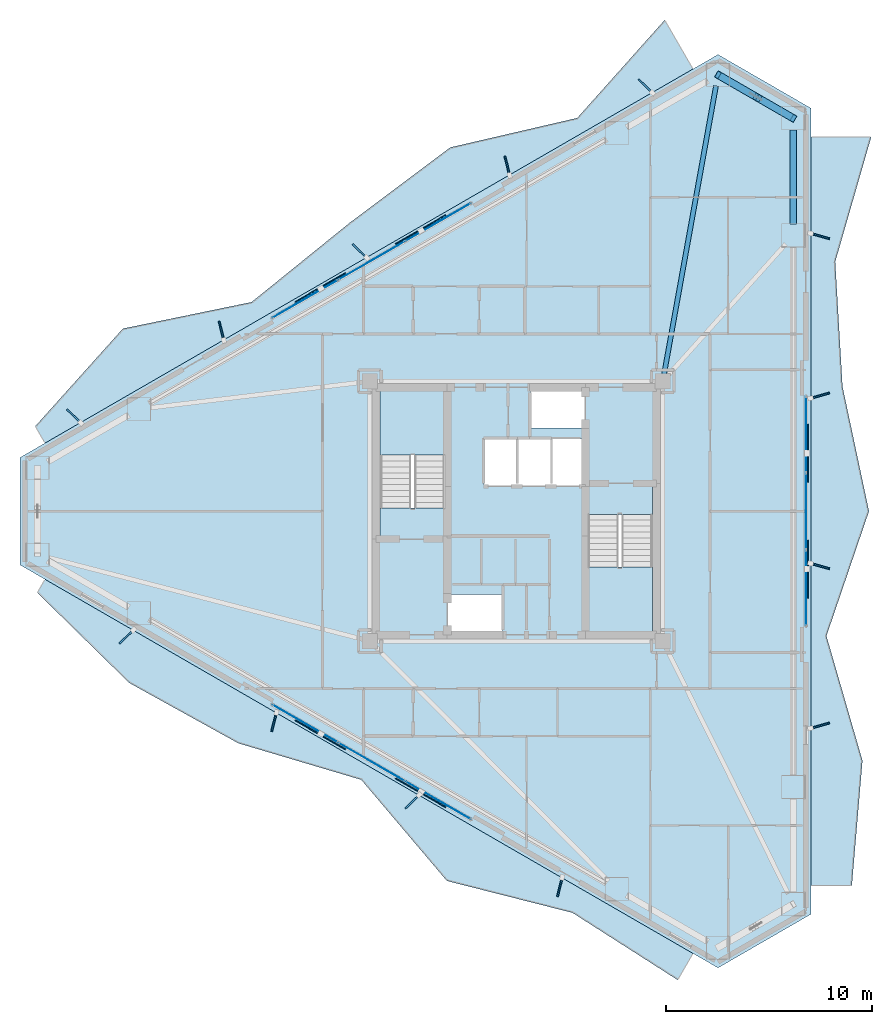
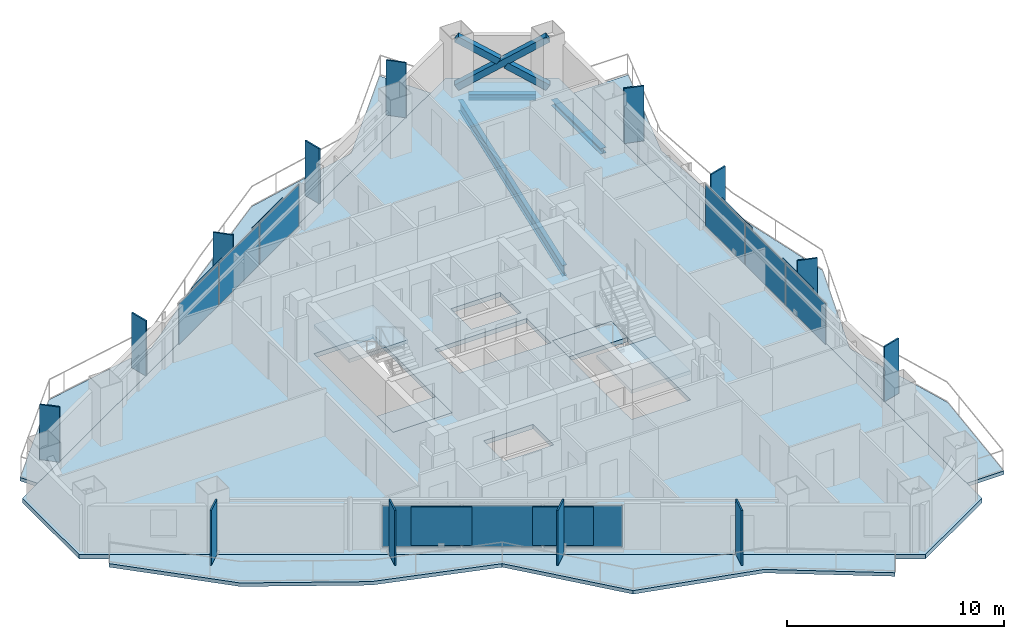
# One storey, part 14 of 22: 28 plates, 8 slabs, 3 beams, 3 members, 5 elements without a shape of their own.
"""IFC4 building model written with IfcOpenShell, lengths in metres."""

from ifc_helpers import new_model, si_unit, direction, frame, origin, origin_2d, place, context, subcontext, project, spatial, polyline, rectangle, hollow_rectangle, i_section, outline, extrude, material, layer, layer_set, material_profile, profile_set, type_object, element, aggregate, save


model = new_model("IFC4")

# Units and contexts
model_context = context("Model", 3, precision=1e-05, world=origin(), true_north=direction((0.0, 1.0)))
body_context = subcontext(model_context, "Body", "Model", "MODEL_VIEW")
ifc_project = project(units=[si_unit("LENGTHUNIT", "METRE"), si_unit("AREAUNIT", "SQUARE_METRE"), si_unit("VOLUMEUNIT", "CUBIC_METRE"), si_unit("PLANEANGLEUNIT", "RADIAN"), si_unit("MASSUNIT", "GRAM", prefix="KILO")], contexts=[model_context])

# Site, building, storey
site_placement = place(None, origin())
site = spatial("IfcSite", under=ifc_project, at=site_placement, CompositionType="ELEMENT")
building_placement = place(site_placement, origin())
building = spatial("IfcBuilding", under=site, at=building_placement, Name="Mersakhor Tower and Convention Hall", CompositionType="ELEMENT")
storey_placement = place(building_placement, frame((0.0, 0.0, 113.10009765625)))
storey = spatial("IfcBuildingStorey", under=building, at=storey_placement, Name="L31", CompositionType="ELEMENT", Elevation=113.10009765625)

# Beams
ifc_material_1 = material(Name="Steel S355", Category="steel")
ifc_material_profile_1 = material_profile(ifc_material_1, i_section(OverallWidth=0.22900390625, OverallDepth=0.6123046875, WebThickness=0.011962890625, FlangeThickness=0.01953125, at=origin_2d()), Name="UB 610x229x125")
ifc_profile_set_1 = profile_set([ifc_material_profile_1], Name="Steel S355")
beam_type_1 = type_object("IfcBeamType", Name="BM-PR-610", PredefinedType="BEAM", material=ifc_profile_set_1)
beam_1_placement = place(storey_placement, frame((36.1630859375, 33.3994140625, -0.55615234375), z_axis=(0.177407335198, 0.984137509405, 0.0), x_axis=(-0.984137509405, 0.177407335198, 0.0)))
element("IfcBeam", 1, at=beam_1_placement, inside=storey, type_object=beam_type_1, Name="L31 Primary Floor Girder FG-2", PredefinedType="BEAM", context=body_context, shape_type="SweptSolid", body=[
    extrude(i_section(OverallWidth=0.22900390625, OverallDepth=0.6123046875, WebThickness=0.011962890625, FlangeThickness=0.01953125, at=origin_2d()), origin(), (0.0, 0.0, 1.0), 14.188232421875),
])
ifc_material_2 = material(Name="Steel S355", Category="steel")
ifc_material_profile_2 = material_profile(ifc_material_2, i_section(OverallWidth=0.30908203125, OverallDepth=0.320556640625, WebThickness=0.013916015625, FlangeThickness=0.021728515625, at=origin_2d()), Name="UC 305x305x137")
ifc_profile_set_2 = profile_set([ifc_material_profile_2], Name="Steel S355")
beam_type_2 = type_object("IfcBeamType", Name="BM-SPD-UC305", PredefinedType="SPANDREL", material=ifc_profile_set_2)
beam_2_placement = place(storey_placement, frame((39.25927734375, 47.631103515625, -0.410400390625), z_axis=(0.866052319632, -0.499953377486, 0.0), x_axis=(0.499953377486, 0.866052319632, 0.0)))
element("IfcBeam", 2, at=beam_2_placement, inside=storey, type_object=beam_type_2, Name="L31 Perimeter Spandrel Beam SPB-04", PredefinedType="SPANDREL", context=body_context, shape_type="SweptSolid", body=[
    extrude(i_section(OverallWidth=0.30908203125, OverallDepth=0.320556640625, WebThickness=0.013916015625, FlangeThickness=0.021728515625, at=origin_2d()), origin(), (0.0, 0.0, 1.0), 3.111572265625),
])
beam_3_placement = place(storey_placement, frame((42.4345703125, 45.242919921875, -0.410400390625), z_axis=(0.0, -1.0, 0.0), x_axis=(1.0, 0.0, 0.0)))
element("IfcBeam", 3, at=beam_3_placement, inside=storey, type_object=beam_type_2, Name="L31 Perimeter Spandrel Beam SPB-05", PredefinedType="SPANDREL", context=body_context, shape_type="SweptSolid", body=[
    extrude(i_section(OverallWidth=0.30908203125, OverallDepth=0.320556640625, WebThickness=0.013916015625, FlangeThickness=0.021728515625, at=origin_2d()), origin(), (0.0, 0.0, 1.0), 4.566162109375),
])

# Members
ifc_material_3 = material(Name="Steel S460", Category="steel")
ifc_material_profile_3 = material_profile(ifc_material_3, hollow_rectangle(XDim=0.35009765625, YDim=0.35009765625, WallThickness=0.02001953125, at=origin_2d()), Name="SHS 350x350x20")
ifc_profile_set_3 = profile_set([ifc_material_profile_3], Name="Steel S460")
member_type = type_object("IfcMemberType", Name="MB-BRC-SHS350", PredefinedType="BRACE", material=ifc_profile_set_3)
member_1_placement = place(storey_placement, frame((38.77880859375, 47.90869140625, 0.14990234375), z_axis=(0.727993176614, -0.420295245881, 0.5416436477), x_axis=(0.49998946241, 0.866031487579, 0.0)))
element("IfcMember", 4, at=member_1_placement, inside=storey, type_object=member_type, Name="L31 Chamfer Braced Frame Diagonal CB-1A", PredefinedType="BRACE", context=body_context, shape_type="SweptSolid", body=[
    extrude(hollow_rectangle(XDim=0.35009765625, YDim=0.35009765625, WallThickness=0.02001953125, at=origin_2d()), origin(), (0.0, 0.0, 1.0), 5.021728515625),
])
member_2_placement = place(storey_placement, frame((42.4345703125, 45.798095703125, 0.14990234375), z_axis=(-0.727959329787, 0.420293499839, 0.54169049112), x_axis=(-0.500005339912, -0.866022320763, 0.0)))
element("IfcMember", 5, at=member_2_placement, inside=storey, type_object=member_type, Name="L31 Chamfer Braced Frame Diagonal CB-1B Lower Half", PredefinedType="BRACE", context=body_context, shape_type="SweptSolid", body=[
    extrude(hollow_rectangle(XDim=0.35009765625, YDim=0.35009765625, WallThickness=0.02001953125, at=origin_2d()), origin(), (0.0, 0.0, 1.0), 2.310791015625),
])
member_3_placement = place(storey_placement, frame((40.4609375, 46.9375, 1.618408203125), z_axis=(-0.728000991886, 0.420317553806, 0.54161583228), x_axis=(-0.500005339912, -0.866022320763, 0.0)))
element("IfcMember", 6, at=member_3_placement, inside=storey, type_object=member_type, Name="L31 Chamfer Braced Frame Diagonal CB-1B Upper Half", PredefinedType="BRACE", context=body_context, shape_type="SweptSolid", body=[
    extrude(hollow_rectangle(XDim=0.35009765625, YDim=0.35009765625, WallThickness=0.02001953125, at=origin_2d()), origin(), (0.0, 0.0, 1.0), 2.310546875),
])

# Curtain wall, plates
ifc_material_4 = material(Name="Dark solar low-E aluminium curtain wall", Category="aluminium")
ifc_layer_1 = layer(ifc_material_4, 0.159912109375)
ifc_layer_set_1 = layer_set([ifc_layer_1], Name="Dark solar low-E aluminium curtain wall")
curtain_wall_type = type_object("IfcCurtainWallType", Name="CW-SYS-01", PredefinedType="USERDEFINED", material=ifc_layer_set_1)
curtain_wall_1_placement = place(storey_placement, origin())
curtain_wall_1 = element("IfcCurtainWall", 7, at=curtain_wall_1_placement, inside=storey, type_object=curtain_wall_type, Name="L31 Dark-Glass Curtain Wall F1-B2", ObjectType="CURTAIN WALL", PredefinedType="USERDEFINED")
ifc_material_5 = material(Name="Dark solar double glazing", Category="glass")
ifc_layer_2 = layer(ifc_material_5, 0.02392578125)
ifc_layer_set_2 = layer_set([ifc_layer_2], Name="Dark solar double glazing")
plate_type_1 = type_object("IfcPlateType", Name="CWP-GLZ-24", PredefinedType="CURTAIN_PANEL", material=ifc_layer_set_2)
plate_1_placement = place(storey_placement, frame((18.75732421875, 37.042236328125, 0.259765625), z_axis=(0.0, 0.0, 1.0), x_axis=(0.866026613339, 0.499997904985, 0.0)))
plate_1 = element("IfcPlate", 8, at=plate_1_placement, type_object=plate_type_1, Name="CW-01 panel 1.1", PredefinedType="CURTAIN_PANEL", context=body_context, shape_type="SweptSolid", body=[
    extrude(rectangle(XDim=3.630615234375, YDim=0.02392578125, at=origin_2d()), origin(), (0.0, 0.0, 1.0), 2.320068359375),
])
plate_2_placement = place(storey_placement, frame((21.982666015625, 38.904296875, 0.259765625), z_axis=(0.0, 0.0, 1.0), x_axis=(0.866026613339, 0.499997904985, 0.0)))
plate_2 = element("IfcPlate", 9, at=plate_2_placement, type_object=plate_type_1, Name="CW-01 panel 2.1", PredefinedType="CURTAIN_PANEL", context=body_context, shape_type="SweptSolid", body=[
    extrude(rectangle(XDim=3.668212890625, YDim=0.02392578125, at=origin_2d()), origin(), (0.0, 0.0, 1.0), 2.320068359375),
])
plate_3_placement = place(storey_placement, frame((25.2080078125, 40.7666015625, 0.259765625), z_axis=(0.0, 0.0, 1.0), x_axis=(0.866026613339, 0.499997904985, 0.0)))
plate_3 = element("IfcPlate", 10, at=plate_3_placement, type_object=plate_type_1, Name="CW-01 panel 3.1", PredefinedType="CURTAIN_PANEL", context=body_context, shape_type="SweptSolid", body=[
    extrude(rectangle(XDim=3.630615234375, YDim=0.02392578125, at=origin_2d()), origin(), (0.0, 0.0, 1.0), 2.320068359375),
])
aggregate(curtain_wall_1, [plate_1, plate_2, plate_3])

curtain_wall_2_placement = place(storey_placement, origin())
curtain_wall_2 = element("IfcCurtainWall", 11, at=curtain_wall_2_placement, inside=storey, type_object=curtain_wall_type, Name="L31 Dark-Glass Curtain Wall F2-B2", ObjectType="CURTAIN WALL", PredefinedType="USERDEFINED")
plate_4_placement = place(storey_placement, frame((43.03466796875, 30.474365234375, 0.259765625), z_axis=(0.0, 0.0, 1.0), x_axis=(0.0, -1.0, 0.0)))
plate_4 = element("IfcPlate", 12, at=plate_4_placement, type_object=plate_type_1, Name="CW-01 panel 1.1", PredefinedType="CURTAIN_PANEL", context=body_context, shape_type="SweptSolid", body=[
    extrude(rectangle(XDim=3.630615234375, YDim=0.02392578125, at=origin_2d()), origin(), (0.0, 0.0, 1.0), 2.320068359375),
])
plate_5_placement = place(storey_placement, frame((43.03466796875, 26.75, 0.259765625), z_axis=(0.0, 0.0, 1.0), x_axis=(0.0, -1.0, 0.0)))
plate_5 = element("IfcPlate", 13, at=plate_5_placement, type_object=plate_type_1, Name="CW-01 panel 2.1", PredefinedType="CURTAIN_PANEL", context=body_context, shape_type="SweptSolid", body=[
    extrude(rectangle(XDim=3.668212890625, YDim=0.02392578125, at=origin_2d()), origin(), (0.0, 0.0, 1.0), 2.320068359375),
])
plate_6_placement = place(storey_placement, frame((43.03466796875, 23.025634765625, 0.259765625), z_axis=(0.0, 0.0, 1.0), x_axis=(0.0, -1.0, 0.0)))
plate_6 = element("IfcPlate", 14, at=plate_6_placement, type_object=plate_type_1, Name="CW-01 panel 3.1", PredefinedType="CURTAIN_PANEL", context=body_context, shape_type="SweptSolid", body=[
    extrude(rectangle(XDim=3.630615234375, YDim=0.02392578125, at=origin_2d()), origin(), (0.0, 0.0, 1.0), 2.320068359375),
])
aggregate(curtain_wall_2, [plate_4, plate_5, plate_6])

curtain_wall_3_placement = place(storey_placement, origin())
curtain_wall_3 = element("IfcCurtainWall", 15, at=curtain_wall_3_placement, inside=storey, type_object=curtain_wall_type, Name="L31 Dark-Glass Curtain Wall F3-B2", ObjectType="CURTAIN WALL", PredefinedType="USERDEFINED")
plate_7_placement = place(storey_placement, frame((25.2080078125, 12.7333984375, 0.259765625), z_axis=(0.0, 0.0, 1.0), x_axis=(-0.866026613339, 0.499997904985, 0.0)))
plate_7 = element("IfcPlate", 16, at=plate_7_placement, type_object=plate_type_1, Name="CW-01 panel 1.1", PredefinedType="CURTAIN_PANEL", context=body_context, shape_type="SweptSolid", body=[
    extrude(rectangle(XDim=3.630615234375, YDim=0.02392578125, at=origin_2d()), origin(), (0.0, 0.0, 1.0), 2.320068359375),
])
plate_8_placement = place(storey_placement, frame((21.982666015625, 14.595703125, 0.259765625), z_axis=(0.0, 0.0, 1.0), x_axis=(-0.866026613339, 0.499997904985, 0.0)))
plate_8 = element("IfcPlate", 17, at=plate_8_placement, type_object=plate_type_1, Name="CW-01 panel 2.1", PredefinedType="CURTAIN_PANEL", context=body_context, shape_type="SweptSolid", body=[
    extrude(rectangle(XDim=3.668212890625, YDim=0.02392578125, at=origin_2d()), origin(), (0.0, 0.0, 1.0), 2.320068359375),
])
plate_9_placement = place(storey_placement, frame((18.75732421875, 16.457763671875, 0.259765625), z_axis=(0.0, 0.0, 1.0), x_axis=(-0.866026613339, 0.499997904985, 0.0)))
plate_9 = element("IfcPlate", 18, at=plate_9_placement, type_object=plate_type_1, Name="CW-01 panel 3.1", PredefinedType="CURTAIN_PANEL", context=body_context, shape_type="SweptSolid", body=[
    extrude(rectangle(XDim=3.630615234375, YDim=0.02392578125, at=origin_2d()), origin(), (0.0, 0.0, 1.0), 2.320068359375),
])
aggregate(curtain_wall_3, [plate_7, plate_8, plate_9])

# Plates
ifc_material_6 = material(Name="Ceramic-clad aluminium Zone 2 emerald-teal", Category="aluminium")
ifc_material_7 = material(Name="Ceramic-clad aluminium Zone 1 cobalt-slate", Category="masonry")
ifc_layer_3 = layer(ifc_material_7, 0.080078125)
ifc_layer_set_3 = layer_set([ifc_layer_3], Name="Ceramic-clad aluminium Zone 1 cobalt-slate")
plate_type_2 = type_object("IfcPlateType", Name="PL-FIN-80", PredefinedType="USERDEFINED", material=ifc_layer_set_3)
for number, where, z_axis, x_axis, name in (
    (19, (7.549560546875, 31.364013671875, -0.000244140625), (0.0, 0.0, 1.0), (-0.719339800339, 0.694658370459, 0.0), "L31 Zone 2 Coloured Brise-Soleil Fin F1-1"),
    (20, (14.70458984375, 35.4951171875, -0.000244140625), (0.0, 0.0, 1.0), (-0.2419218956, 0.970295726276, 0.0), "L31 Zone 2 Coloured Brise-Soleil Fin F1-2"),
    (21, (21.406005859375, 39.364013671875, -0.000244140625), (0.0, 0.0, 1.0), (-0.719339800339, 0.694658370459, 0.0), "L31 Zone 2 Coloured Brise-Soleil Fin F1-3"),
    (22, (28.560791015625, 43.4951171875, -0.000244140625), (0.0, 0.0, 1.0), (-0.2419218956, 0.970295726276, 0.0), "L31 Zone 2 Coloured Brise-Soleil Fin F1-4"),
    (23, (35.26220703125, 47.3642578125, -0.000244140625), (0.0, 0.0, 1.0), (-0.719339800339, 0.694658370459, 0.0), "L31 Zone 2 Coloured Brise-Soleil Fin F1-5"),
    (24, (43.72119140625, 40.091064453125, -0.000244140625), (0.0, 0.0, 1.0), (0.961261695938, -0.275637355817, 0.0), "L31 Zone 2 Coloured Brise-Soleil Fin F2-1"),
    (25, (43.72119140625, 32.35302734375, -0.000244140625), (0.0, 0.0, 1.0), (0.961261695938, 0.275637355817, 0.0), "L31 Zone 2 Coloured Brise-Soleil Fin F2-2"),
    (26, (43.72119140625, 24.091064453125, -0.000244140625), (0.0, 0.0, 1.0), (0.961261695938, -0.275637355817, 0.0), "L31 Zone 2 Coloured Brise-Soleil Fin F2-3"),
    (27, (43.72119140625, 16.35302734375, -0.000244140625), (0.0, 0.0, 1.0), (0.961261695938, 0.275637355817, 0.0), "L31 Zone 2 Coloured Brise-Soleil Fin F2-4"),
    (28, (31.110595703125, 8.532958984375, -0.000244140625), (0.0, 0.0, 1.0), (-0.2419218956, -0.970295726276, 0.0), "L31 Zone 2 Coloured Brise-Soleil Fin F3-1"),
    (29, (23.95556640625, 12.663818359375, -0.000244140625), (0.0, 0.0, 1.0), (-0.719339800339, -0.694658370459, 0.0), "L31 Zone 2 Coloured Brise-Soleil Fin F3-2"),
    (30, (17.254150390625, 16.532958984375, -0.000244140625), (0.0, 0.0, 1.0), (-0.2419218956, -0.970295726276, 0.0), "L31 Zone 2 Coloured Brise-Soleil Fin F3-3"),
    (31, (10.09912109375, 20.663818359375, -0.000244140625), (0.0, 0.0, 1.0), (-0.719339800339, -0.694658370459, 0.0), "L31 Zone 2 Coloured Brise-Soleil Fin F3-4"),
):
    element("IfcPlate", number, at=place(storey_placement, frame(where, z_axis=z_axis, x_axis=x_axis)), inside=storey, type_object=plate_type_2, material=ifc_material_6, Name=name, ObjectType="FIN", PredefinedType="USERDEFINED", context=body_context, shape_type="SweptSolid", body=[
        extrude(rectangle(XDim=0.949951171875, YDim=0.080078125, at=origin_2d()), origin(), (0.0, 0.0, 1.0), 3.10009765625),
    ])
ifc_material_8 = material(Name="Perforated ceramic cobogo solar screen", Category="aluminium")
ifc_layer_4 = layer(ifc_material_8, 0.055908203125)
ifc_layer_set_4 = layer_set([ifc_layer_4], Name="Perforated ceramic cobogo solar screen")
plate_type_3 = type_object("IfcPlateType", Name="PL-SCR-56", PredefinedType="USERDEFINED", material=ifc_layer_set_4)
for number, where, z_axis, x_axis, name in (
    (32, (19.50244140625, 37.58544921875, 0.39990234375), (0.0, 0.0, 1.0), (0.866025403784, 0.5, 0.0), "L31 Perforated Ceramic Solar Screen F1-1"),
    (33, (24.364990234375, 40.392822265625, 0.39990234375), (0.0, 0.0, 1.0), (0.866025403784, 0.5, 0.0), "L31 Perforated Ceramic Solar Screen F1-2"),
    (34, (43.132568359375, 29.557373046875, 0.39990234375), (0.0, 0.0, 1.0), (0.0, -1.0, 0.0), "L31 Perforated Ceramic Solar Screen F2-1"),
    (35, (43.132568359375, 23.942626953125, 0.39990234375), (0.0, 0.0, 1.0), (0.0, -1.0, 0.0), "L31 Perforated Ceramic Solar Screen F2-2"),
    (36, (24.364990234375, 13.107177734375, 0.39990234375), (0.0, 0.0, 1.0), (-0.866025403784, 0.5, 0.0), "L31 Perforated Ceramic Solar Screen F3-1"),
    (37, (19.50244140625, 15.91455078125, 0.39990234375), (0.0, 0.0, 1.0), (-0.866025403784, 0.5, 0.0), "L31 Perforated Ceramic Solar Screen F3-2"),
):
    element("IfcPlate", number, at=place(storey_placement, frame(where, z_axis=z_axis, x_axis=x_axis)), inside=storey, type_object=plate_type_3, Name=name, ObjectType="SCREEN", PredefinedType="USERDEFINED", context=body_context, shape_type="SweptSolid", body=[
        extrude(rectangle(XDim=2.800048828125, YDim=0.055908203125, at=origin_2d()), origin(), (0.0, 0.0, 1.0), 2.18994140625),
    ])

# Slabs
ifc_material_9 = material(Name="Concrete C45/55", Category="concrete")
ifc_layer_5 = layer(ifc_material_9, 0.199951171875)
ifc_layer_set_5 = layer_set([ifc_layer_5], Name="Concrete C45/55")
slab_type_1 = type_object("IfcSlabType", Name="SL-BAL-200", PredefinedType="FLOOR", material=ifc_layer_set_5)
slab_1_placement = place(storey_placement, frame((0.0, 0.0, -0.2001953125)))
element("IfcSlab", 38, at=slab_1_placement, inside=storey, type_object=slab_type_1, Name="L31 Sinusoidal Balcony Slab Face 1", PredefinedType="FLOOR", context=body_context, shape_type="SweptSolid", body=[
    extrude(outline(polyline([(6.149169921875, 30.051513671875), (37.56640625, 48.190185546875), (36.194580078125, 50.566162109375), (31.955078125, 45.816650390625), (25.798095703125, 44.38818359375), (20.9248046875, 40.73681640625), (16.16455078125, 36.88916015625), (9.92529296875, 35.603515625), (5.677001953125, 30.869384765625), (6.149169921875, 30.051513671875)])), origin(), (0.0, 0.0, 1.0), 0.2001953125),
])
slab_2_placement = place(storey_placement, frame((0.0, 0.0, -0.2001953125)))
element("IfcSlab", 39, at=slab_2_placement, inside=storey, type_object=slab_type_1, Name="L31 Sinusoidal Balcony Slab Face 2", PredefinedType="FLOOR", context=body_context, shape_type="SweptSolid", body=[
    extrude(outline(polyline([(43.28466796875, 44.888671875), (43.28466796875, 8.611328125), (45.268798828125, 8.611328125), (45.781982421875, 14.657470703125), (44.03466796875, 20.703857421875), (46.097900390625, 26.75), (44.814208984375, 32.796142578125), (44.460693359375, 38.842529296875), (46.20458984375, 44.888671875), (43.28466796875, 44.888671875)])), origin(), (0.0, 0.0, 1.0), 0.2001953125),
])
slab_3_placement = place(storey_placement, frame((0.0, 0.0, -0.2001953125)))
element("IfcSlab", 40, at=slab_3_placement, inside=storey, type_object=slab_type_1, Name="L31 Sinusoidal Balcony Slab Face 3", PredefinedType="FLOOR", context=body_context, shape_type="SweptSolid", body=[
    extrude(outline(polyline([(37.56640625, 5.309814453125), (6.149169921875, 23.448486328125), (5.774169921875, 22.799072265625), (10.231689453125, 18.427001953125), (15.52294921875, 15.49951171875), (21.482666015625, 13.7294921875), (25.6337890625, 8.8271484375), (31.722900390625, 7.281494140625), (36.822998046875, 4.022216796875), (37.56640625, 5.309814453125)])), origin(), (0.0, 0.0, 1.0), 0.2001953125),
])
ifc_material_10 = material(Name="Concrete C40/50", Category="concrete")
ifc_layer_6 = layer(ifc_material_10, 0.25)
ifc_layer_set_6 = layer_set([ifc_layer_6], Name="Concrete C40/50")
slab_type_2 = type_object("IfcSlabType", Name="SL-FLR-250", PredefinedType="FLOOR", material=ifc_layer_set_6)
slab_4_placement = place(storey_placement, frame((0.0, 0.0, -0.25)))
element("IfcSlab", 41, at=slab_4_placement, inside=storey, type_object=slab_type_2, Name="L31 ST-1 Structural Stair Floor Landing", PredefinedType="LANDING", context=body_context, shape_type="SweptSolid", body=[
    extrude(outline(polyline([(25.550048828125, 25.39990234375), (25.550048828125, 26.89990234375), (22.39990234375, 26.89990234375), (22.39990234375, 25.39990234375), (25.550048828125, 25.39990234375)])), origin(), (0.0, 0.0, 1.0), 0.25),
])
slab_5_placement = place(storey_placement, frame((0.0, 0.0, -0.25)))
element("IfcSlab", 42, at=slab_5_placement, inside=storey, type_object=slab_type_2, Name="L31 ST-2 Structural Stair Floor Landing", PredefinedType="LANDING", context=body_context, shape_type="SweptSolid", body=[
    extrude(outline(polyline([(32.449951171875, 28.10009765625), (32.449951171875, 26.60009765625), (35.60009765625, 26.60009765625), (35.60009765625, 28.10009765625), (32.449951171875, 28.10009765625)])), origin(), (0.0, 0.0, 1.0), 0.25),
])
slab_6_placement = place(storey_placement, frame((0.0, 0.0, -0.25)))
element("IfcSlab", 43, at=slab_6_placement, inside=storey, type_object=slab_type_2, Name="Tower L31 Structural Floor Slab", PredefinedType="FLOOR", context=body_context, shape_type="SweptSolid", body=[
    extrude(outline(polyline([(4.936767578125, 29.3515625), (38.77880859375, 48.89013671875), (43.28466796875, 46.288818359375), (43.28466796875, 7.211181640625), (38.77880859375, 4.60986328125), (4.936767578125, 24.1484375), (4.936767578125, 29.3515625)]), holes=[polyline([(25.550048828125, 25.39990234375), (25.550048828125, 32.699951171875), (22.39990234375, 32.699951171875), (22.39990234375, 25.39990234375), (25.550048828125, 25.39990234375)]), polyline([(32.449951171875, 28.10009765625), (32.449951171875, 20.800048828125), (35.60009765625, 20.800048828125), (35.60009765625, 28.10009765625), (32.449951171875, 28.10009765625)]), polyline([(25.679931640625, 20.820068359375), (25.679931640625, 22.719970703125), (28.320068359375, 22.719970703125), (28.320068359375, 20.820068359375), (25.679931640625, 20.820068359375)]), polyline([(29.679931640625, 30.780029296875), (29.679931640625, 32.679931640625), (32.320068359375, 32.679931640625), (32.320068359375, 30.780029296875), (29.679931640625, 30.780029296875)]), polyline([(27.429931640625, 28.0), (27.429931640625, 30.25), (32.320068359375, 30.25), (32.320068359375, 28.0), (27.429931640625, 28.0)])]), origin(), (0.0, 0.0, 1.0), 0.25),
])

# Stair, slab
ifc_material_11 = material(Name="Concrete C45/55", Category="concrete")
stair_type = type_object("IfcStairType", Name="ST-TWR-20R", PredefinedType="HALF_TURN_STAIR", material=ifc_material_11)
stair_1_placement = place(storey_placement, origin())
stair_1 = element("IfcStair", 44, at=stair_1_placement, inside=storey, type_object=stair_type, Name="L31 Tower Protected Exit Stair ST-1", PredefinedType="HALF_TURN_STAIR")
ifc_material_12 = material(Name="Concrete C45/55", Category="concrete")
ifc_layer_7 = layer(ifc_material_12, 0.199951171875)
ifc_layer_set_7 = layer_set([ifc_layer_7], Name="Concrete C45/55")
slab_type_3 = type_object("IfcSlabType", Name="SL-LAND-200", PredefinedType="LANDING", material=ifc_layer_set_7)
slab_7_placement = place(storey_placement, frame((0.0, 0.0, 1.449951171875)))
slab_7 = element("IfcSlab", 45, at=slab_7_placement, type_object=slab_type_3, Name="ST-1 landing 1", PredefinedType="LANDING", context=body_context, shape_type="SweptSolid", body=[
    extrude(outline(polyline([(25.550048828125, 29.465087890625), (25.550048828125, 32.699951171875), (22.39990234375, 32.699951171875), (22.39990234375, 29.465087890625), (25.550048828125, 29.465087890625)])), origin(), (0.0, 0.0, 1.0), 0.199951171875),
])
aggregate(stair_1, [slab_7])

stair_2_placement = place(storey_placement, origin())
stair_2 = element("IfcStair", 46, at=stair_2_placement, inside=storey, type_object=stair_type, Name="L31 Tower Protected Exit Stair ST-2", PredefinedType="HALF_TURN_STAIR")
slab_8_placement = place(storey_placement, frame((0.0, 0.0, 1.449951171875)))
slab_8 = element("IfcSlab", 47, at=slab_8_placement, type_object=slab_type_3, Name="ST-2 landing 1", PredefinedType="LANDING", context=body_context, shape_type="SweptSolid", body=[
    extrude(outline(polyline([(32.449951171875, 24.034912109375), (32.449951171875, 20.800048828125), (35.60009765625, 20.800048828125), (35.60009765625, 24.034912109375), (32.449951171875, 24.034912109375)])), origin(), (0.0, 0.0, 1.0), 0.199951171875),
])
aggregate(stair_2, [slab_8])

save(model, "model.ifc")
